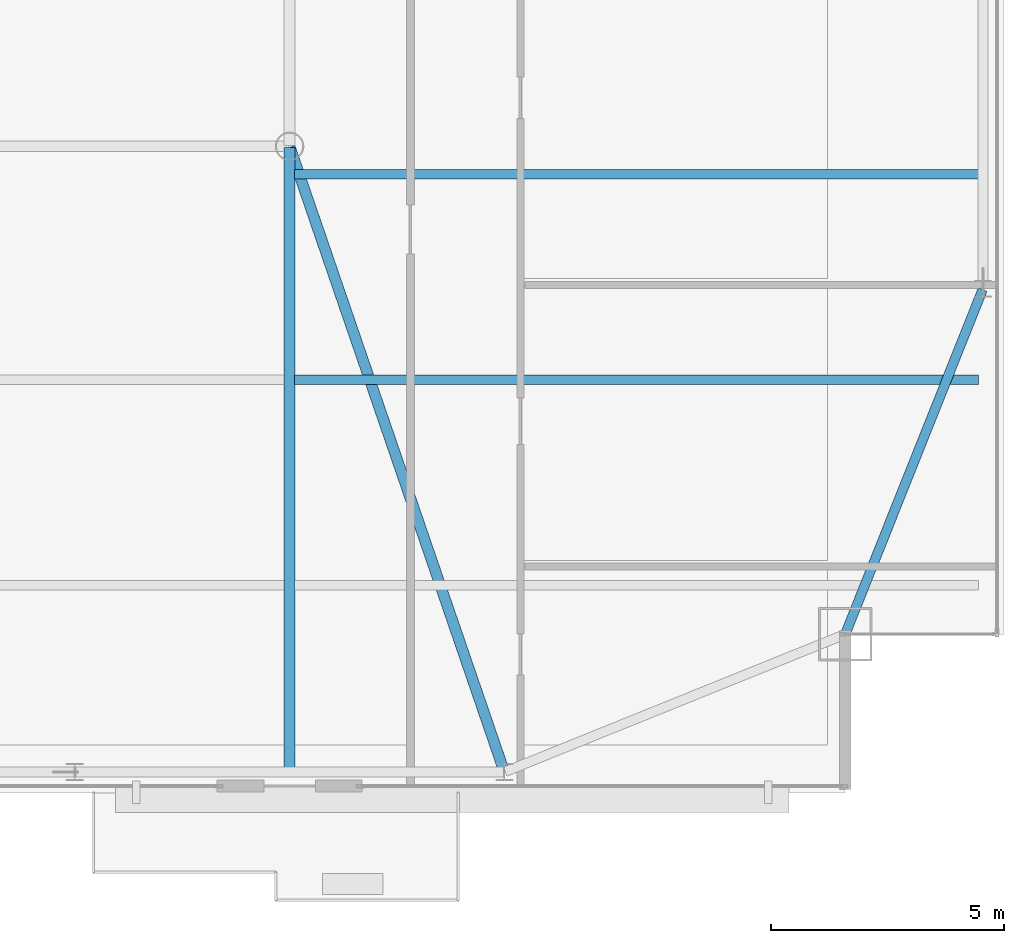
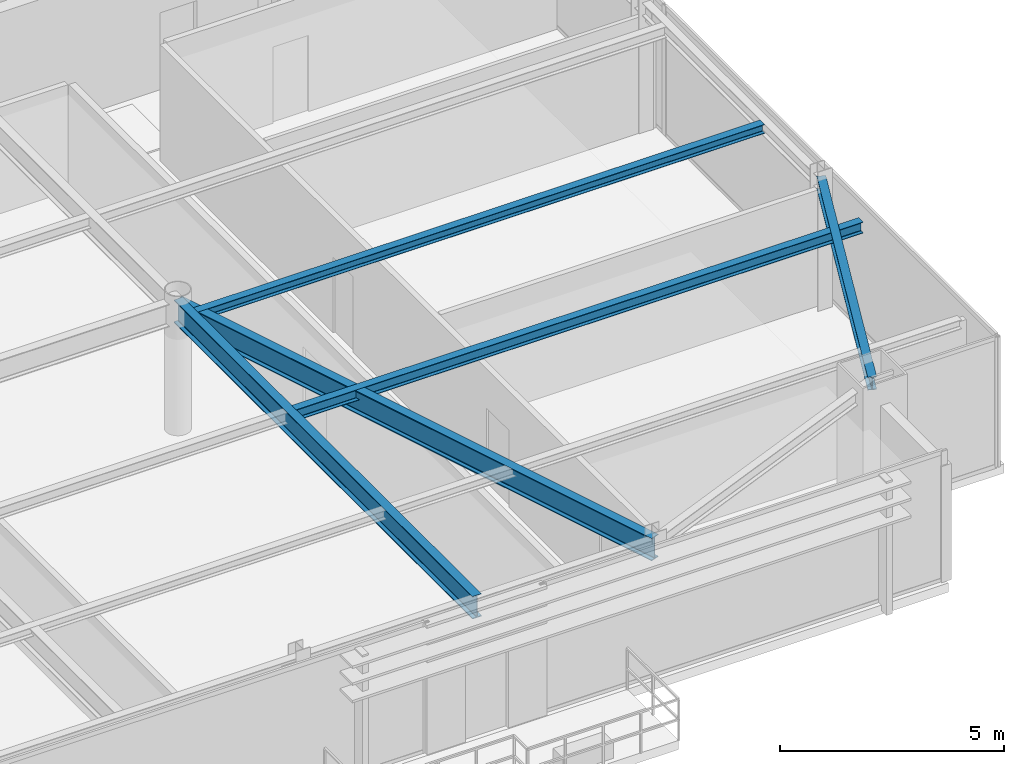
# One storey, part 16 of 30: 5 beams.
"""IFC4 building model written with IfcOpenShell, lengths in metres."""

import ifcopenshell
import ifcopenshell.guid

model = None  # the IFC model being written
_history = None  # IfcOwnerHistory: only IFC2X3 demands one
_inside = {}  # id of a spatial element -> (the spatial element, [elements in it])
_under = {}  # id of a project, library or spatial element -> (it, [spatial elements below it])
_declared = {}  # id of a project -> (the project, [libraries it declares])
_typed = {}  # id of a type object -> (the type object, [elements of that type])
_made_of = {}  # id of a material, layer set ... -> (it, [elements and type objects made of it])


def new_model(schema):
    """Start an empty IFC model of exactly this schema.

    Asked for "IFC4X3", IfcOpenShell would pick the latest addendum, in which some entities
    have other attributes; the version numbers below select the first issue.
    IFC2X3 requires an IfcOwnerHistory on every rooted entity: one is made here for all.
    """
    global model, _history
    if schema == "IFC4X3":
        model = ifcopenshell.file(schema_version=(4, 3, 0, 0))
    else:
        model = ifcopenshell.file(schema=schema)
    _inside.clear()
    _under.clear()
    _declared.clear()
    _typed.clear()
    _made_of.clear()
    _history = None
    if model.schema == "IFC2X3":
        org = make("IfcOrganization", Name="unknown")
        user = make(
            "IfcPersonAndOrganization",
            ThePerson=make("IfcPerson", FamilyName="unknown"),
            TheOrganization=org,
        )
        app = make(
            "IfcApplication",
            ApplicationDeveloper=org,
            Version="unknown",
            ApplicationFullName="unknown",
            ApplicationIdentifier="unknown",
        )
        _history = make(
            "IfcOwnerHistory",
            OwningUser=user,
            OwningApplication=app,
            ChangeAction="ADDED",
            CreationDate=0,
        )
    return model


def make(cls, **values):
    """One entity of the class cls with the attributes given. An attribute that is None is left unset."""
    return model.create_entity(
        cls, **{name: value for name, value in values.items() if value is not None}
    )


def rooted(cls, **values):
    """An entity with a GlobalId (a new one), such as an element, a storey or a relation."""
    return make(cls, GlobalId=ifcopenshell.guid.new(), OwnerHistory=_history, **values)


def si_unit(unit_type, name, prefix=None):
    """IfcSIUnit, for example si_unit("LENGTHUNIT", "METRE", prefix="MILLI")."""
    return make("IfcSIUnit", UnitType=unit_type, Prefix=prefix, Name=name)


def assignment(units):
    """IfcUnitAssignment: the units of a project."""
    return None if units is None else make("IfcUnitAssignment", Units=units)


def point(xyz):
    """IfcCartesianPoint."""
    return None if xyz is None else make("IfcCartesianPoint", Coordinates=xyz)


def direction(xyz):
    """IfcDirection."""
    return None if xyz is None else make("IfcDirection", DirectionRatios=xyz)


def frame(location, z_axis=None, x_axis=None):
    """IfcAxis2Placement3D, a coordinate frame: its origin and axes. An axis left out is left unset."""
    return make(
        "IfcAxis2Placement3D",
        Location=point(location),
        Axis=direction(z_axis),
        RefDirection=direction(x_axis),
    )


def frame_2d(location, x_axis=None):
    """IfcAxis2Placement2D, a coordinate frame in the plane: its origin and x axis."""
    return make(
        "IfcAxis2Placement2D", Location=point(location), RefDirection=direction(x_axis)
    )


def origin():
    """The frame at (0, 0, 0) with its axes left unset."""
    return frame((0.0, 0.0, 0.0))


def origin_2d():
    """The frame at (0, 0) in the plane with its x axis left unset."""
    return frame_2d((0.0, 0.0))


def place(relative_to, where):
    """IfcLocalPlacement: puts the frame where relative to a parent placement (None: the world)."""
    return make(
        "IfcLocalPlacement", PlacementRelTo=relative_to, RelativePlacement=where
    )


def context(
    kind, dimensions, precision=None, world=None, true_north=None, identifier=None
):
    """IfcGeometricRepresentationContext, for example the 3D "Model" context."""
    return make(
        "IfcGeometricRepresentationContext",
        ContextIdentifier=identifier,
        ContextType=kind,
        CoordinateSpaceDimension=dimensions,
        Precision=precision,
        WorldCoordinateSystem=world,
        TrueNorth=true_north,
    )


def subcontext(parent, identifier, kind, view, scale=None):
    """IfcGeometricRepresentationSubContext, for example "Body" below "Model"."""
    return make(
        "IfcGeometricRepresentationSubContext",
        ContextIdentifier=identifier,
        ContextType=kind,
        ParentContext=parent,
        TargetScale=scale,
        TargetView=view,
    )


def project(units=None, contexts=None):
    """IfcProject with its units and contexts."""
    return rooted(
        "IfcProject",
        Name="project",
        RepresentationContexts=contexts,
        UnitsInContext=assignment(units),
    )


def spatial(cls, under=None, at=None, **own):
    """A site, building, storey or space (cls), placed at a placement, below another one or the project."""
    s = rooted(cls, ObjectPlacement=at, **own)
    if under is not None:
        _under.setdefault(under.id(), (under, []))[1].append(s)
    return s


def profile(cls, at=None, kind="AREA", **sizes):
    """A parametric profile (cls). Its sizes go by their IFC names, for example OverallWidth=200.0."""
    return make(cls, ProfileType=kind, Position=at, **sizes)


def i_section(**sizes):
    """IfcIShapeProfileDef."""
    return profile("IfcIShapeProfileDef", **sizes)


def extrude(swept, where, along, depth):
    """IfcExtrudedAreaSolid: the profile swept, set in the frame where, extruded along a direction by depth."""
    return make(
        "IfcExtrudedAreaSolid",
        SweptArea=swept,
        Position=where,
        ExtrudedDirection=direction(along),
        Depth=depth,
    )


def shape(context_of_items, identifier, shape_type, items):
    """IfcShapeRepresentation: the items that make up one representation, for example the "Body"."""
    return make(
        "IfcShapeRepresentation",
        ContextOfItems=context_of_items,
        RepresentationIdentifier=identifier,
        RepresentationType=shape_type,
        Items=items,
    )


def source(mapping_origin, context_of_items, identifier, shape_type, items):
    """IfcRepresentationMap: a shape defined once, which mapped items show again and again."""
    return make(
        "IfcRepresentationMap",
        MappingOrigin=mapping_origin,
        MappedRepresentation=shape(context_of_items, identifier, shape_type, items),
    )


def transform(
    local_origin,
    x_axis=None,
    y_axis=None,
    z_axis=None,
    scale=None,
    scale2=None,
    scale3=None,
    uniform=True,
):
    """IfcCartesianTransformationOperator3D, or its non-uniform kind. x_axis, y_axis, z_axis: its Axis1, 2, 3."""
    if uniform:
        return make(
            "IfcCartesianTransformationOperator3D",
            Axis1=direction(x_axis),
            Axis2=direction(y_axis),
            LocalOrigin=point(local_origin),
            Scale=scale,
            Axis3=direction(z_axis),
        )
    return make(
        "IfcCartesianTransformationOperator3DnonUniform",
        Axis1=direction(x_axis),
        Axis2=direction(y_axis),
        LocalOrigin=point(local_origin),
        Scale=scale,
        Axis3=direction(z_axis),
        Scale2=scale2,
        Scale3=scale3,
    )


def mapped(mapping_source, mapping_target):
    """IfcMappedItem: shows the shape of a source again, moved by a transform."""
    return make(
        "IfcMappedItem", MappingSource=mapping_source, MappingTarget=mapping_target
    )


def material(Name=None, Category=None):
    """IfcMaterial."""
    return make("IfcMaterial", Name=Name, Category=Category)


def material_profile(
    of_material, cross_section, Name=None, Category=None, Priority=None
):
    """IfcMaterialProfile: a cross section and its material."""
    return make(
        "IfcMaterialProfile",
        Name=Name,
        Material=of_material,
        Profile=cross_section,
        Priority=Priority,
        Category=Category,
    )


def profile_set(profiles, Name=None, composite=None):
    """IfcMaterialProfileSet."""
    return make(
        "IfcMaterialProfileSet",
        Name=Name,
        MaterialProfiles=profiles,
        CompositeProfile=composite,
    )


def made_of(thing, what):
    """Note that an element or type object is made of a material, layer set ...; save() writes the relation."""
    if what is not None:
        _made_of.setdefault(what.id(), (what, []))[1].append(thing)
    return thing


def type_object(cls, material=None, **own):
    """A type object (cls), such as IfcWallType, which elements share."""
    return made_of(rooted(cls, **own), material)


def type_shapes(of_type, sources):
    """Give a type object the sources (RepresentationMaps) that its elements show as mapped items."""
    of_type.RepresentationMaps = sources


def element(
    cls,
    number,
    at=None,
    inside=None,
    cuts=None,
    type_object=None,
    material=None,
    context=None,
    identifier="Body",
    shape_type=None,
    held_by="IfcProductDefinitionShape",
    body=None,
    shapes=None,
    **own,
):
    """One element of the class cls, such as IfcWall. Its Tag is "e" and its number.

    at: its placement. inside: the storey or other place that contains it. cuts: it is an
    opening in that element (IfcRelVoidsElement). A single representation is given by context,
    identifier, shape_type and body (its items); several are given by shapes. held_by: the class
    of the entity that holds the representations. save() writes the other relations.
    """
    e = rooted(cls, Tag="e%d" % number, ObjectPlacement=at, **own)
    if body is not None:
        shapes = [shape(context, identifier, shape_type, body)]
    if shapes is not None:
        e.Representation = make(held_by, Representations=shapes)
    if inside is not None:
        _inside.setdefault(inside.id(), (inside, []))[1].append(e)
    if cuts is not None:
        rooted(
            "IfcRelVoidsElement", RelatingBuildingElement=cuts, RelatedOpeningElement=e
        )
    if type_object is not None:
        _typed.setdefault(type_object.id(), (type_object, []))[1].append(e)
    return made_of(e, material)


def aggregate(whole, parts):
    """IfcRelAggregates: a whole, such as a stair, and the parts it consists of."""
    return rooted("IfcRelAggregates", RelatingObject=whole, RelatedObjects=parts)


def save(model, path):
    """Write the relations noted so far, then the file.

    IfcRelAggregates (storeys below a building ...), IfcRelContainedInSpatialStructure (elements
    in a storey), IfcRelDefinesByType, IfcRelAssociatesMaterial and IfcRelDeclares: one each for
    every whole, place, type object, material and project.
    """
    for whole, parts in _under.values():
        aggregate(whole, parts)
    for where, things in _inside.values():
        rooted(
            "IfcRelContainedInSpatialStructure",
            RelatedElements=things,
            RelatingStructure=where,
        )
    for kind, things in _typed.values():
        rooted("IfcRelDefinesByType", RelatedObjects=things, RelatingType=kind)
    for what, things in _made_of.values():
        rooted("IfcRelAssociatesMaterial", RelatedObjects=things, RelatingMaterial=what)
    for by, libraries in _declared.values():
        rooted("IfcRelDeclares", RelatingContext=by, RelatedDefinitions=libraries)
    model.write(path)


model = new_model("IFC4")

# Units and contexts
model_context = context("Model", 3, precision=1e-05, world=origin(), true_north=direction((0.0, 1.0)))
body_context = subcontext(model_context, "Body", "Model", "MODEL_VIEW")
ifc_project = project(units=[si_unit("LENGTHUNIT", "METRE"), si_unit("AREAUNIT", "SQUARE_METRE"), si_unit("VOLUMEUNIT", "CUBIC_METRE"), si_unit("PLANEANGLEUNIT", "RADIAN"), si_unit("MASSUNIT", "GRAM", prefix="KILO")], contexts=[model_context])

# Site, building, storey
site_placement = place(None, origin())
site = spatial("IfcSite", under=ifc_project, at=site_placement, CompositionType="ELEMENT")
building_placement = place(site_placement, origin())
building = spatial("IfcBuilding", under=site, at=building_placement, Name="Varnel Quay Broadcast Tower", CompositionType="ELEMENT")
storey_placement = place(building_placement, frame((0.0, 0.0, 211.199951171875)))
storey = spatial("IfcBuildingStorey", under=building, at=storey_placement, Name="L52", CompositionType="ELEMENT", Elevation=211.199951171875)

# Beams
ifc_material = material(Name="Structural Steel CSA G40.21 350W", Category="steel")
ifc_material_profile_1 = material_profile(ifc_material, i_section(OverallWidth=0.205078125, OverallDepth=0.35400390625, WebThickness=0.009521484375, FlangeThickness=0.016845703125, FilletRadius=0.012939453125, at=origin_2d()), Name="W360X79")
ifc_profile_set_1 = profile_set([ifc_material_profile_1], Name="Structural Steel CSA G40.21 350W")
beam_type_1 = type_object("IfcBeamType", Name="Beam_W360X79", PredefinedType="SPANDREL", material=ifc_profile_set_1)
shared_shape_1 = source(origin(), body_context, "Body", "SweptSolid", [
    extrude(i_section(OverallWidth=0.205078125, OverallDepth=0.35400390625, WebThickness=0.009521484375, FlangeThickness=0.016845703125, FilletRadius=0.012939453125, at=origin_2d()), origin(), (0.0, 0.0, 1.0), 7.92626953125),
])
type_shapes(beam_type_1, [shared_shape_1])
beam_1_placement = place(storey_placement, frame((55.107421875, 13.61865234375, 3.373046875), z_axis=(0.370296431883, 0.928913641053, 0.0), x_axis=(-0.928913641053, 0.370296431883, 0.0)))
element("IfcBeam", 1, at=beam_1_placement, inside=storey, type_object=beam_type_1, Name="L52 East Spandrel MC-SE-TC-E1", PredefinedType="SPANDREL", context=body_context, shape_type="MappedRepresentation", body=[
    mapped(shared_shape_1, transform((0.0, 0.0, 0.0), x_axis=(1.0, 0.0, 0.0), y_axis=(0.0, 1.0, 0.0), z_axis=(0.0, 0.0, 1.0), scale=1.0)),
])
ifc_material_profile_2 = material_profile(ifc_material, i_section(OverallWidth=0.22998046875, OverallDepth=0.616943359375, WebThickness=0.01318359375, FlangeThickness=0.022216796875, FilletRadius=0.01611328125, at=origin_2d()), Name="W610X140")
ifc_profile_set_2 = profile_set([ifc_material_profile_2], Name="Structural Steel CSA G40.21 350W")
beam_type_2 = type_object("IfcBeamType", Name="Girder_W610X140", PredefinedType="BEAM", material=ifc_profile_set_2)
shared_shape_2 = source(origin(), body_context, "Body", "SweptSolid", [
    extrude(i_section(OverallWidth=0.22998046875, OverallDepth=0.616943359375, WebThickness=0.01318359375, FlangeThickness=0.022216796875, FilletRadius=0.01611328125, at=origin_2d()), origin(), (0.0, 0.0, 1.0), 14.12744140625),
])
beam_2_placement = place(storey_placement, frame((47.79345703125, 10.6689453125, 3.241455078125), z_axis=(-0.324681288447, 0.945823482967, 0.0), x_axis=(-0.945823482967, -0.324681288447, 0.0)))
element("IfcBeam", 2, at=beam_2_placement, inside=storey, type_object=beam_type_2, Name="L52 Primary Girder TC-S4-IC-02", PredefinedType="BEAM", context=body_context, shape_type="MappedRepresentation", body=[
    mapped(shared_shape_2, transform((0.0, 0.0, 0.0), x_axis=(1.0, 0.0, 0.0), y_axis=(0.0, 1.0, 0.0), z_axis=(0.0, 0.0, 1.0), scale=1.0)),
])
shared_shape_3 = source(origin(), body_context, "Body", "SweptSolid", [
    extrude(i_section(OverallWidth=0.22998046875, OverallDepth=0.616943359375, WebThickness=0.01318359375, FlangeThickness=0.022216796875, FilletRadius=0.01611328125, at=origin_2d()), origin(), (0.0, 0.0, 1.0), 13.360107421875),
])
type_shapes(beam_type_2, [shared_shape_2, shared_shape_3])
beam_3_placement = place(storey_placement, frame((43.199951171875, 10.669921875, 3.241455078125), z_axis=(0.0, 1.0, 0.0), x_axis=(-1.0, 0.0, 0.0)))
element("IfcBeam", 3, at=beam_3_placement, inside=storey, type_object=beam_type_2, Name="L52 N-S Joist Header IC-02S", PredefinedType="BEAM", context=body_context, shape_type="MappedRepresentation", body=[
    mapped(shared_shape_3, transform((0.0, 0.0, 0.0), x_axis=(1.0, 0.0, 0.0), y_axis=(0.0, 1.0, 0.0), z_axis=(0.0, 0.0, 1.0), scale=1.0)),
])
ifc_material_profile_3 = material_profile(ifc_material, i_section(OverallWidth=0.201904296875, OverallDepth=0.2470703125, WebThickness=0.00732421875, FlangeThickness=0.010986328125, FilletRadius=0.010986328125, at=origin_2d()), Name="W250X49")
ifc_profile_set_3 = profile_set([ifc_material_profile_3], Name="Structural Steel CSA G40.21 350W")
beam_type_3 = type_object("IfcBeamType", Name="Beam_W250X49", PredefinedType="JOIST", material=ifc_profile_set_3)
shared_shape_4 = source(origin(), body_context, "Body", "SweptSolid", [
    extrude(i_section(OverallWidth=0.201904296875, OverallDepth=0.2470703125, WebThickness=0.00732421875, FlangeThickness=0.010986328125, FilletRadius=0.010986328125, at=origin_2d()), origin(), (0.0, 0.0, 1.0), 14.642333984375),
])
type_shapes(beam_type_3, [shared_shape_4])
beam_4_placement = place(storey_placement, frame((43.31005859375, 23.449951171875, 3.426513671875), z_axis=(1.0, 0.0, 0.0), x_axis=(0.0, 1.0, 0.0)))
element("IfcBeam", 4, at=beam_4_placement, inside=storey, type_object=beam_type_3, Name="L52 East Floor Joist 3", PredefinedType="JOIST", context=body_context, shape_type="MappedRepresentation", body=[
    mapped(shared_shape_4, transform((0.0, 0.0, 0.0), x_axis=(1.0, 0.0, 0.0), y_axis=(0.0, 1.0, 0.0), z_axis=(0.0, 0.0, 1.0), scale=1.0)),
])
ifc_material_profile_4 = material_profile(ifc_material, i_section(OverallWidth=0.202880859375, OverallDepth=0.302978515625, WebThickness=0.007568359375, FlangeThickness=0.01318359375, FilletRadius=0.011962890625, at=origin_2d()), Name="W310X60")
ifc_profile_set_4 = profile_set([ifc_material_profile_4], Name="Structural Steel CSA G40.21 350W")
beam_type_4 = type_object("IfcBeamType", Name="Beam_W310X60", PredefinedType="JOIST", material=ifc_profile_set_4)
shared_shape_5 = source(origin(), body_context, "Body", "SweptSolid", [
    extrude(i_section(OverallWidth=0.202880859375, OverallDepth=0.302978515625, WebThickness=0.007568359375, FlangeThickness=0.01318359375, FilletRadius=0.011962890625, at=origin_2d()), origin(), (0.0, 0.0, 1.0), 14.642333984375),
])
type_shapes(beam_type_4, [shared_shape_5])
beam_5_placement = place(storey_placement, frame((43.31005859375, 19.050048828125, 3.3984375), z_axis=(1.0, 0.0, 0.0), x_axis=(0.0, 1.0, 0.0)))
element("IfcBeam", 5, at=beam_5_placement, inside=storey, type_object=beam_type_4, Name="L52 East Floor Joist 2", PredefinedType="JOIST", context=body_context, shape_type="MappedRepresentation", body=[
    mapped(shared_shape_5, transform((0.0, 0.0, 0.0), x_axis=(1.0, 0.0, 0.0), y_axis=(0.0, 1.0, 0.0), z_axis=(0.0, 0.0, 1.0), scale=1.0)),
])

save(model, "model.ifc")
